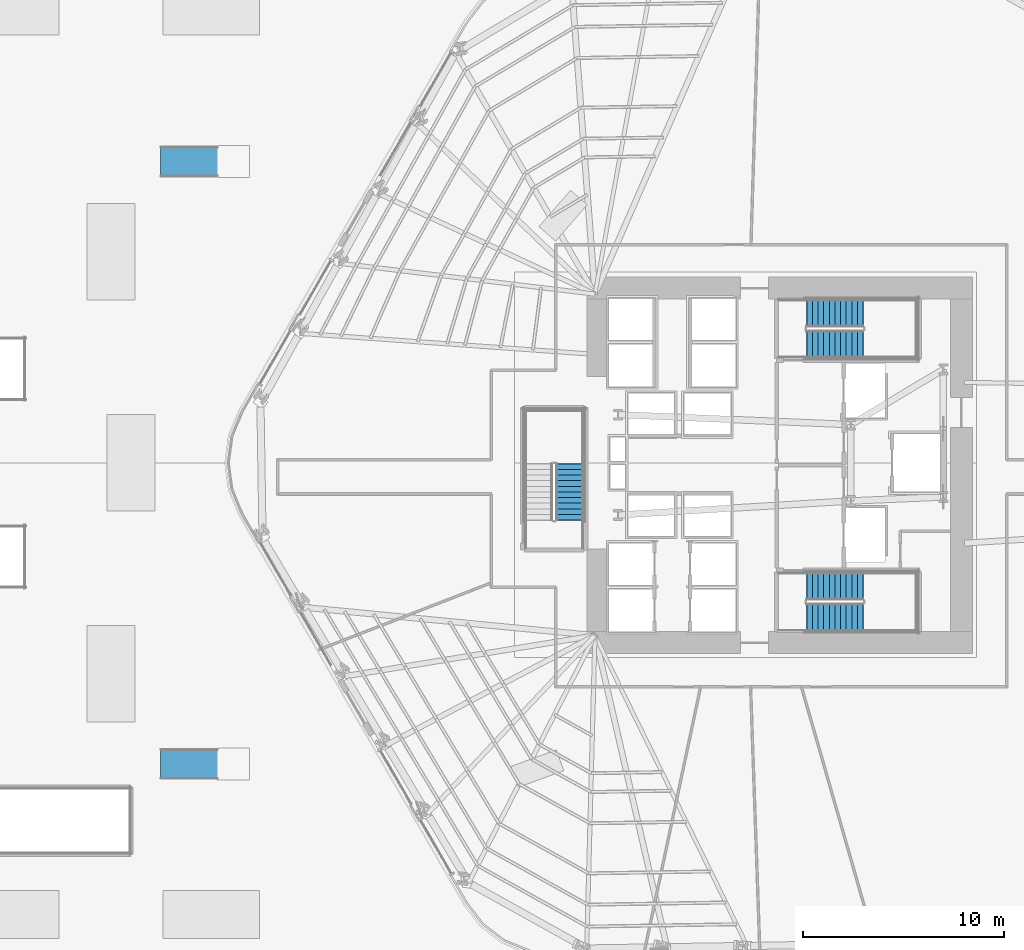
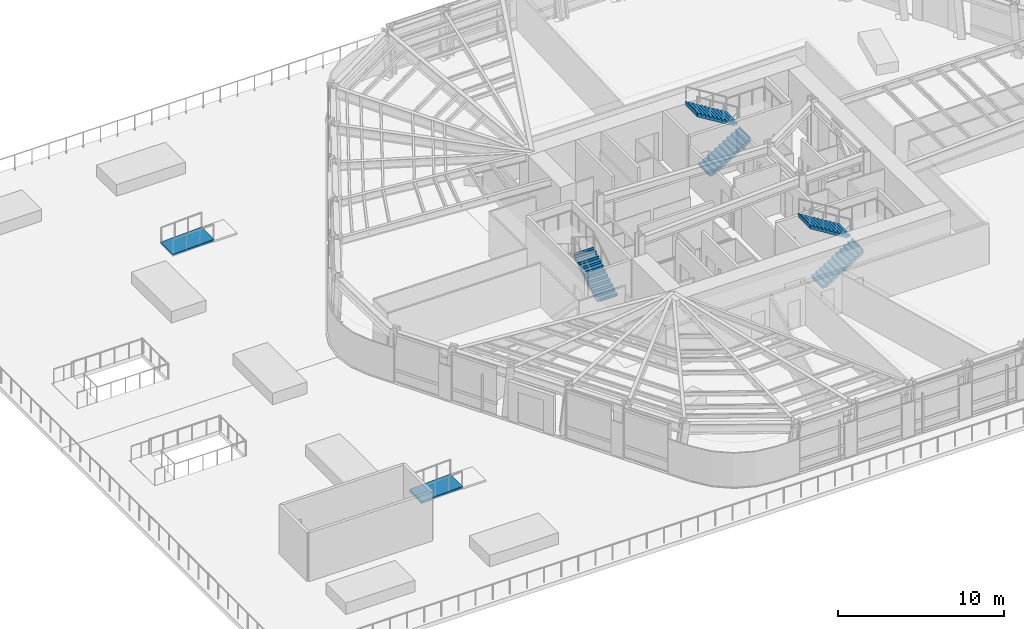
# One storey, part 10 of 18: 5 stair flights, 2 ramp flights, 5 elements without a shape of their own.
"""IFC4 building model written with IfcOpenShell, lengths in metres."""

import ifcopenshell
import ifcopenshell.guid

model = None  # the IFC model being written
_history = None  # IfcOwnerHistory: only IFC2X3 demands one
_inside = {}  # id of a spatial element -> (the spatial element, [elements in it])
_under = {}  # id of a project, library or spatial element -> (it, [spatial elements below it])
_declared = {}  # id of a project -> (the project, [libraries it declares])
_typed = {}  # id of a type object -> (the type object, [elements of that type])
_made_of = {}  # id of a material, layer set ... -> (it, [elements and type objects made of it])


def new_model(schema):
    """Start an empty IFC model of exactly this schema.

    Asked for "IFC4X3", IfcOpenShell would pick the latest addendum, in which some entities
    have other attributes; the version numbers below select the first issue.
    IFC2X3 requires an IfcOwnerHistory on every rooted entity: one is made here for all.
    """
    global model, _history
    if schema == "IFC4X3":
        model = ifcopenshell.file(schema_version=(4, 3, 0, 0))
    else:
        model = ifcopenshell.file(schema=schema)
    _inside.clear()
    _under.clear()
    _declared.clear()
    _typed.clear()
    _made_of.clear()
    _history = None
    if model.schema == "IFC2X3":
        org = make("IfcOrganization", Name="unknown")
        user = make(
            "IfcPersonAndOrganization",
            ThePerson=make("IfcPerson", FamilyName="unknown"),
            TheOrganization=org,
        )
        app = make(
            "IfcApplication",
            ApplicationDeveloper=org,
            Version="unknown",
            ApplicationFullName="unknown",
            ApplicationIdentifier="unknown",
        )
        _history = make(
            "IfcOwnerHistory",
            OwningUser=user,
            OwningApplication=app,
            ChangeAction="ADDED",
            CreationDate=0,
        )
    return model


def make(cls, **values):
    """One entity of the class cls with the attributes given. An attribute that is None is left unset."""
    return model.create_entity(
        cls, **{name: value for name, value in values.items() if value is not None}
    )


def rooted(cls, **values):
    """An entity with a GlobalId (a new one), such as an element, a storey or a relation."""
    return make(cls, GlobalId=ifcopenshell.guid.new(), OwnerHistory=_history, **values)


def si_unit(unit_type, name, prefix=None):
    """IfcSIUnit, for example si_unit("LENGTHUNIT", "METRE", prefix="MILLI")."""
    return make("IfcSIUnit", UnitType=unit_type, Prefix=prefix, Name=name)


def assignment(units):
    """IfcUnitAssignment: the units of a project."""
    return None if units is None else make("IfcUnitAssignment", Units=units)


def point(xyz):
    """IfcCartesianPoint."""
    return None if xyz is None else make("IfcCartesianPoint", Coordinates=xyz)


def direction(xyz):
    """IfcDirection."""
    return None if xyz is None else make("IfcDirection", DirectionRatios=xyz)


def frame(location, z_axis=None, x_axis=None):
    """IfcAxis2Placement3D, a coordinate frame: its origin and axes. An axis left out is left unset."""
    return make(
        "IfcAxis2Placement3D",
        Location=point(location),
        Axis=direction(z_axis),
        RefDirection=direction(x_axis),
    )


def origin():
    """The frame at (0, 0, 0) with its axes left unset."""
    return frame((0.0, 0.0, 0.0))


def place(relative_to, where):
    """IfcLocalPlacement: puts the frame where relative to a parent placement (None: the world)."""
    return make(
        "IfcLocalPlacement", PlacementRelTo=relative_to, RelativePlacement=where
    )


def context(
    kind, dimensions, precision=None, world=None, true_north=None, identifier=None
):
    """IfcGeometricRepresentationContext, for example the 3D "Model" context."""
    return make(
        "IfcGeometricRepresentationContext",
        ContextIdentifier=identifier,
        ContextType=kind,
        CoordinateSpaceDimension=dimensions,
        Precision=precision,
        WorldCoordinateSystem=world,
        TrueNorth=true_north,
    )


def subcontext(parent, identifier, kind, view, scale=None):
    """IfcGeometricRepresentationSubContext, for example "Body" below "Model"."""
    return make(
        "IfcGeometricRepresentationSubContext",
        ContextIdentifier=identifier,
        ContextType=kind,
        ParentContext=parent,
        TargetScale=scale,
        TargetView=view,
    )


def project(units=None, contexts=None):
    """IfcProject with its units and contexts."""
    return rooted(
        "IfcProject",
        Name="project",
        RepresentationContexts=contexts,
        UnitsInContext=assignment(units),
    )


def spatial(cls, under=None, at=None, **own):
    """A site, building, storey or space (cls), placed at a placement, below another one or the project."""
    s = rooted(cls, ObjectPlacement=at, **own)
    if under is not None:
        _under.setdefault(under.id(), (under, []))[1].append(s)
    return s


def polyline(points):
    """IfcPolyline through the points."""
    return make("IfcPolyline", Points=[point(p) for p in points])


def point_list(points):
    """IfcCartesianPointList2D or 3D."""
    cls = (
        "IfcCartesianPointList2D" if len(points[0]) == 2 else "IfcCartesianPointList3D"
    )
    return make(cls, CoordList=points)


def outline(outer, holes=None, kind="AREA"):
    """IfcArbitraryClosedProfileDef: a profile drawn as a closed curve; with holes, ...WithVoids."""
    if holes is None:
        return make("IfcArbitraryClosedProfileDef", ProfileType=kind, OuterCurve=outer)
    return make(
        "IfcArbitraryProfileDefWithVoids",
        ProfileType=kind,
        OuterCurve=outer,
        InnerCurves=holes,
    )


def extrude(swept, where, along, depth):
    """IfcExtrudedAreaSolid: the profile swept, set in the frame where, extruded along a direction by depth."""
    return make(
        "IfcExtrudedAreaSolid",
        SweptArea=swept,
        Position=where,
        ExtrudedDirection=direction(along),
        Depth=depth,
    )


def polygons(points, faces, closed=None, point_numbers=None):
    """IfcPolygonalFaceSet: a face is its outer loop, then its inner loops; points numbered from 1."""
    made = []
    for loops in faces:
        if len(loops) == 1:
            made.append(make("IfcIndexedPolygonalFace", CoordIndex=loops[0]))
        else:
            made.append(
                make(
                    "IfcIndexedPolygonalFaceWithVoids",
                    CoordIndex=loops[0],
                    InnerCoordIndices=loops[1:],
                )
            )
    return make(
        "IfcPolygonalFaceSet",
        Coordinates=point_list(points),
        Closed=closed,
        Faces=made,
        PnIndex=point_numbers,
    )


def shape(context_of_items, identifier, shape_type, items):
    """IfcShapeRepresentation: the items that make up one representation, for example the "Body"."""
    return make(
        "IfcShapeRepresentation",
        ContextOfItems=context_of_items,
        RepresentationIdentifier=identifier,
        RepresentationType=shape_type,
        Items=items,
    )


def material(Name=None, Category=None):
    """IfcMaterial."""
    return make("IfcMaterial", Name=Name, Category=Category)


def layer(
    of_material, thickness, ventilated=None, Name=None, Category=None, Priority=None
):
    """IfcMaterialLayer: one layer of a wall or slab, of a material (None: an air gap)."""
    return make(
        "IfcMaterialLayer",
        Material=of_material,
        LayerThickness=thickness,
        IsVentilated=ventilated,
        Name=Name,
        Category=Category,
        Priority=Priority,
    )


def layer_set(layers, Name=None):
    """IfcMaterialLayerSet."""
    return make("IfcMaterialLayerSet", MaterialLayers=layers, LayerSetName=Name)


def made_of(thing, what):
    """Note that an element or type object is made of a material, layer set ...; save() writes the relation."""
    if what is not None:
        _made_of.setdefault(what.id(), (what, []))[1].append(thing)
    return thing


def type_object(cls, material=None, **own):
    """A type object (cls), such as IfcWallType, which elements share."""
    return made_of(rooted(cls, **own), material)


def element(
    cls,
    number,
    at=None,
    inside=None,
    cuts=None,
    type_object=None,
    material=None,
    context=None,
    identifier="Body",
    shape_type=None,
    held_by="IfcProductDefinitionShape",
    body=None,
    shapes=None,
    **own,
):
    """One element of the class cls, such as IfcWall. Its Tag is "e" and its number.

    at: its placement. inside: the storey or other place that contains it. cuts: it is an
    opening in that element (IfcRelVoidsElement). A single representation is given by context,
    identifier, shape_type and body (its items); several are given by shapes. held_by: the class
    of the entity that holds the representations. save() writes the other relations.
    """
    e = rooted(cls, Tag="e%d" % number, ObjectPlacement=at, **own)
    if body is not None:
        shapes = [shape(context, identifier, shape_type, body)]
    if shapes is not None:
        e.Representation = make(held_by, Representations=shapes)
    if inside is not None:
        _inside.setdefault(inside.id(), (inside, []))[1].append(e)
    if cuts is not None:
        rooted(
            "IfcRelVoidsElement", RelatingBuildingElement=cuts, RelatedOpeningElement=e
        )
    if type_object is not None:
        _typed.setdefault(type_object.id(), (type_object, []))[1].append(e)
    return made_of(e, material)


def aggregate(whole, parts):
    """IfcRelAggregates: a whole, such as a stair, and the parts it consists of."""
    return rooted("IfcRelAggregates", RelatingObject=whole, RelatedObjects=parts)


def save(model, path):
    """Write the relations noted so far, then the file.

    IfcRelAggregates (storeys below a building ...), IfcRelContainedInSpatialStructure (elements
    in a storey), IfcRelDefinesByType, IfcRelAssociatesMaterial and IfcRelDeclares: one each for
    every whole, place, type object, material and project.
    """
    for whole, parts in _under.values():
        aggregate(whole, parts)
    for where, things in _inside.values():
        rooted(
            "IfcRelContainedInSpatialStructure",
            RelatedElements=things,
            RelatingStructure=where,
        )
    for kind, things in _typed.values():
        rooted("IfcRelDefinesByType", RelatedObjects=things, RelatingType=kind)
    for what, things in _made_of.values():
        rooted("IfcRelAssociatesMaterial", RelatedObjects=things, RelatingMaterial=what)
    for by, libraries in _declared.values():
        rooted("IfcRelDeclares", RelatingContext=by, RelatedDefinitions=libraries)
    model.write(path)


model = new_model("IFC4")

# Units and contexts
model_context = context("Model", 3, precision=1e-05, world=origin(), true_north=direction((0.0, 1.0)))
body_context = subcontext(model_context, "Body", "Model", "MODEL_VIEW")
ifc_project = project(units=[si_unit("LENGTHUNIT", "METRE"), si_unit("AREAUNIT", "SQUARE_METRE"), si_unit("VOLUMEUNIT", "CUBIC_METRE"), si_unit("PLANEANGLEUNIT", "RADIAN"), si_unit("MASSUNIT", "GRAM", prefix="KILO")], contexts=[model_context])

# Site, building, storey
site_placement = place(None, origin())
site = spatial("IfcSite", under=ifc_project, at=site_placement, CompositionType="ELEMENT")
building_placement = place(site_placement, origin())
building = spatial("IfcBuilding", under=site, at=building_placement, Name="Valkerne Bourse Tower", CompositionType="ELEMENT")
storey_placement = place(building_placement, frame((0.0, 0.0, 24.0)))
storey = spatial("IfcBuildingStorey", under=building, at=storey_placement, Name="L05", CompositionType="ELEMENT", Elevation=24.0)

# Stair, stair flights
ifc_material = material(Name="Concrete C40/50", Category="concrete")
stair_type = type_object("IfcStairType", Name="ST-CORE-1400", PredefinedType="HALF_TURN_STAIR", material=ifc_material)
stair_1_placement = place(storey_placement, origin())
stair_1 = element("IfcStair", 1, at=stair_1_placement, inside=storey, type_object=stair_type, Name="L05 ST-1", PredefinedType="HALF_TURN_STAIR")
stair_flight_type = type_object("IfcStairFlightType", Name="STF-CORE-1400", PredefinedType="STRAIGHT", material=ifc_material)
stair_flight_1_placement = place(storey_placement, frame((48.14990234375, 19.300048828125, 0.0), z_axis=(0.0, 0.0, 1.0), x_axis=(1.0, 0.0, 0.0)))
stair_flight_1 = element("IfcStairFlight", 2, at=stair_flight_1_placement, type_object=stair_flight_type, Name="ST-1 flight 1", NumberOfRisers=11, NumberOfTreads=10, PredefinedType="STRAIGHT", RiserHeight=0.172727273, TreadLength=0.28, context=body_context, shape_type="SweptSolid", body=[
    extrude(outline(polyline([(-0.02001953125, 0.0), (-0.02001953125, 0.044921875), (0.0, 0.044921875), (0.0, 0.172607421875), (0.280029296875, 0.172607421875), (0.280029296875, 0.345458984375), (0.56005859375, 0.345458984375), (0.56005859375, 0.51806640625), (0.840087890625, 0.51806640625), (0.840087890625, 0.69091796875), (1.1201171875, 0.69091796875), (1.1201171875, 0.863525390625), (1.39990234375, 0.863525390625), (1.39990234375, 1.036376953125), (1.679931640625, 1.036376953125), (1.679931640625, 1.208984375), (1.9599609375, 1.208984375), (1.9599609375, 1.3818359375), (2.239990234375, 1.3818359375), (2.239990234375, 1.554443359375), (2.52001953125, 1.554443359375), (2.52001953125, 1.727294921875), (2.800048828125, 1.727294921875), (2.800048828125, 1.89990234375), (2.820068359375, 1.89990234375), (2.820068359375, 1.780029296875), (2.800048828125, 1.551025390625), (0.285400390625, 0.0), (-0.02001953125, 0.0)])), frame((0.0, 0.699951171875, 0.0), z_axis=(0.0, -1.0, 0.0), x_axis=(1.0, 0.0, 0.0)), (0.0, 0.0, 1.0), 1.39990234375),
])
stair_flight_2_placement = place(storey_placement, frame((50.949951171875, 20.85009765625, 1.89990234375), z_axis=(0.0, 0.0, 1.0), x_axis=(-1.0, 0.0, 0.0)))
stair_flight_2 = element("IfcStairFlight", 3, at=stair_flight_2_placement, type_object=stair_flight_type, Name="ST-1 flight 2", NumberOfRisers=11, NumberOfTreads=10, PredefinedType="STRAIGHT", RiserHeight=0.172727273, TreadLength=0.28, context=body_context, shape_type="SweptSolid", body=[
    extrude(outline(polyline([(-0.02001953125, 0.0), (-0.02001953125, 0.044921875), (0.0, 0.044921875), (0.0, 0.172607421875), (0.280029296875, 0.172607421875), (0.280029296875, 0.345458984375), (0.56005859375, 0.345458984375), (0.56005859375, 0.51806640625), (0.840087890625, 0.51806640625), (0.840087890625, 0.69091796875), (1.1201171875, 0.69091796875), (1.1201171875, 0.863525390625), (1.39990234375, 0.863525390625), (1.39990234375, 1.036376953125), (1.679931640625, 1.036376953125), (1.679931640625, 1.208984375), (1.9599609375, 1.208984375), (1.9599609375, 1.3818359375), (2.239990234375, 1.3818359375), (2.239990234375, 1.554443359375), (2.52001953125, 1.554443359375), (2.52001953125, 1.727294921875), (2.800048828125, 1.727294921875), (2.800048828125, 1.89990234375), (2.820068359375, 1.89990234375), (2.820068359375, 1.780029296875), (2.800048828125, 1.551025390625), (0.285400390625, 0.0), (-0.02001953125, 0.0)])), frame((0.0, 0.699951171875, 0.0), z_axis=(0.0, -1.0, 0.0), x_axis=(1.0, 0.0, 0.0)), (0.0, 0.0, 1.0), 1.39990234375),
])
aggregate(stair_1, [stair_flight_1, stair_flight_2])

stair_2_placement = place(storey_placement, origin())
stair_2 = element("IfcStair", 4, at=stair_2_placement, inside=storey, type_object=stair_type, Name="L05 ST-2", PredefinedType="HALF_TURN_STAIR")
stair_flight_3_placement = place(storey_placement, frame((48.14990234375, 32.89990234375, 0.0), z_axis=(0.0, 0.0, 1.0), x_axis=(1.0, 0.0, 0.0)))
stair_flight_3 = element("IfcStairFlight", 5, at=stair_flight_3_placement, type_object=stair_flight_type, Name="ST-2 flight 1", NumberOfRisers=11, NumberOfTreads=10, PredefinedType="STRAIGHT", RiserHeight=0.172727273, TreadLength=0.28, context=body_context, shape_type="SweptSolid", body=[
    extrude(outline(polyline([(-0.02001953125, 0.0), (-0.02001953125, 0.044921875), (0.0, 0.044921875), (0.0, 0.172607421875), (0.280029296875, 0.172607421875), (0.280029296875, 0.345458984375), (0.56005859375, 0.345458984375), (0.56005859375, 0.51806640625), (0.840087890625, 0.51806640625), (0.840087890625, 0.69091796875), (1.1201171875, 0.69091796875), (1.1201171875, 0.863525390625), (1.39990234375, 0.863525390625), (1.39990234375, 1.036376953125), (1.679931640625, 1.036376953125), (1.679931640625, 1.208984375), (1.9599609375, 1.208984375), (1.9599609375, 1.3818359375), (2.239990234375, 1.3818359375), (2.239990234375, 1.554443359375), (2.52001953125, 1.554443359375), (2.52001953125, 1.727294921875), (2.800048828125, 1.727294921875), (2.800048828125, 1.89990234375), (2.820068359375, 1.89990234375), (2.820068359375, 1.780029296875), (2.800048828125, 1.551025390625), (0.285400390625, 0.0), (-0.02001953125, 0.0)])), frame((0.0, 0.699951171875, 0.0), z_axis=(0.0, -1.0, 0.0), x_axis=(1.0, 0.0, 0.0)), (0.0, 0.0, 1.0), 1.39990234375),
])
stair_flight_4_placement = place(storey_placement, frame((50.949951171875, 34.449951171875, 1.89990234375), z_axis=(0.0, 0.0, 1.0), x_axis=(-1.0, 0.0, 0.0)))
stair_flight_4 = element("IfcStairFlight", 6, at=stair_flight_4_placement, type_object=stair_flight_type, Name="ST-2 flight 2", NumberOfRisers=11, NumberOfTreads=10, PredefinedType="STRAIGHT", RiserHeight=0.172727273, TreadLength=0.28, context=body_context, shape_type="SweptSolid", body=[
    extrude(outline(polyline([(-0.02001953125, 0.0), (-0.02001953125, 0.044921875), (0.0, 0.044921875), (0.0, 0.172607421875), (0.280029296875, 0.172607421875), (0.280029296875, 0.345458984375), (0.56005859375, 0.345458984375), (0.56005859375, 0.51806640625), (0.840087890625, 0.51806640625), (0.840087890625, 0.69091796875), (1.1201171875, 0.69091796875), (1.1201171875, 0.863525390625), (1.39990234375, 0.863525390625), (1.39990234375, 1.036376953125), (1.679931640625, 1.036376953125), (1.679931640625, 1.208984375), (1.9599609375, 1.208984375), (1.9599609375, 1.3818359375), (2.239990234375, 1.3818359375), (2.239990234375, 1.554443359375), (2.52001953125, 1.554443359375), (2.52001953125, 1.727294921875), (2.800048828125, 1.727294921875), (2.800048828125, 1.89990234375), (2.820068359375, 1.89990234375), (2.820068359375, 1.780029296875), (2.800048828125, 1.551025390625), (0.285400390625, 0.0), (-0.02001953125, 0.0)])), frame((0.0, 0.699951171875, 0.0), z_axis=(0.0, -1.0, 0.0), x_axis=(1.0, 0.0, 0.0)), (0.0, 0.0, 1.0), 1.39990234375),
])
aggregate(stair_2, [stair_flight_3, stair_flight_4])

# Stair, stair flight
stair_3_placement = place(storey_placement, origin())
stair_3 = element("IfcStair", 7, at=stair_3_placement, inside=storey, type_object=stair_type, Name="L05 ST-3", PredefinedType="HALF_TURN_STAIR")
stair_flight_5_placement = place(storey_placement, frame((36.35009765625, 24.14990234375, 0.0), z_axis=(0.0, 0.0, 1.0), x_axis=(0.0, 1.0, 0.0)))
stair_flight_5 = element("IfcStairFlight", 8, at=stair_flight_5_placement, type_object=stair_flight_type, Name="ST-3 flight 1", NumberOfRisers=11, NumberOfTreads=10, PredefinedType="STRAIGHT", RiserHeight=0.172727273, TreadLength=0.28, context=body_context, shape_type="SweptSolid", body=[
    extrude(outline(polyline([(-0.02001953125, 0.0), (-0.02001953125, 0.044921875), (0.0, 0.044921875), (0.0, 0.172607421875), (0.280029296875, 0.172607421875), (0.280029296875, 0.345458984375), (0.56005859375, 0.345458984375), (0.56005859375, 0.51806640625), (0.840087890625, 0.51806640625), (0.840087890625, 0.69091796875), (1.1201171875, 0.69091796875), (1.1201171875, 0.863525390625), (1.39990234375, 0.863525390625), (1.39990234375, 1.036376953125), (1.679931640625, 1.036376953125), (1.679931640625, 1.208984375), (1.9599609375, 1.208984375), (1.9599609375, 1.3818359375), (2.239990234375, 1.3818359375), (2.239990234375, 1.554443359375), (2.52001953125, 1.554443359375), (2.52001953125, 1.727294921875), (2.800048828125, 1.727294921875), (2.800048828125, 1.89990234375), (2.820068359375, 1.89990234375), (2.820068359375, 1.780029296875), (2.800048828125, 1.551025390625), (0.285400390625, 0.0), (-0.02001953125, 0.0)])), frame((0.0, 0.699951171875, 0.0), z_axis=(0.0, -1.0, 0.0), x_axis=(1.0, 0.0, 0.0)), (0.0, 0.0, 1.0), 1.39990234375),
])
aggregate(stair_3, [stair_flight_5])

# Ramp, ramp flight
ramp_type = type_object("IfcRampType", Name="RMP-PED-TYPE", PredefinedType="STRAIGHT_RUN_RAMP", material=ifc_material)
ramp_1_placement = place(storey_placement, origin())
ramp_1 = element("IfcRamp", 9, at=ramp_1_placement, inside=storey, type_object=ramp_type, Name="South Garden Deck Accessible Ramp 3", PredefinedType="STRAIGHT_RUN_RAMP")
ifc_layer = layer(ifc_material, 0.199951171875)
ifc_layer_set = layer_set([ifc_layer], Name="Concrete C40/50")
ramp_flight_type = type_object("IfcRampFlightType", Name="RMP-PED-FLIGHT", PredefinedType="STRAIGHT", material=ifc_layer_set)
ramp_flight_1_placement = place(storey_placement, origin())
ramp_flight_1 = element("IfcRampFlight", 10, at=ramp_flight_1_placement, type_object=ramp_flight_type, Name="South Garden Deck Accessible Ramp 3 Flight 1", PredefinedType="STRAIGHT", context=body_context, shape_type="Tessellation", body=[
    polygons([(15.969970703125, 11.25, 0.038818359375), (15.969970703125, 11.25, -0.121337890625), (18.830078125, 11.25, 0.161376953125), (18.830078125, 11.25, 0.001220703125), (18.830078125, 12.75, 0.161376953125), (18.830078125, 12.75, 0.001220703125), (15.969970703125, 12.75, 0.038818359375), (15.969970703125, 12.75, -0.121337890625)], [[[1, 5, 7]], [[2, 8, 6]], [[5, 1, 3]], [[6, 4, 2]], [[1, 2, 4, 3]], [[3, 4, 6, 5]], [[5, 6, 8, 7]], [[7, 8, 2, 1]]], closed=True),
])
aggregate(ramp_1, [ramp_flight_1])

ramp_2_placement = place(storey_placement, origin())
ramp_2 = element("IfcRamp", 11, at=ramp_2_placement, inside=storey, type_object=ramp_type, Name="North Garden Deck Accessible Ramp 4", PredefinedType="STRAIGHT_RUN_RAMP")
ramp_flight_2_placement = place(storey_placement, origin())
ramp_flight_2 = element("IfcRampFlight", 12, at=ramp_flight_2_placement, type_object=ramp_flight_type, Name="North Garden Deck Accessible Ramp 4 Flight 1", PredefinedType="STRAIGHT", context=body_context, shape_type="Tessellation", body=[
    polygons([(15.969970703125, 41.25, 0.038818359375), (15.969970703125, 41.25, -0.121337890625), (18.830078125, 41.25, 0.161376953125), (18.830078125, 41.25, 0.001220703125), (18.830078125, 42.75, 0.161376953125), (18.830078125, 42.75, 0.001220703125), (15.969970703125, 42.75, 0.038818359375), (15.969970703125, 42.75, -0.121337890625)], [[[1, 5, 7]], [[2, 8, 6]], [[5, 1, 3]], [[6, 4, 2]], [[1, 2, 4, 3]], [[3, 4, 6, 5]], [[5, 6, 8, 7]], [[7, 8, 2, 1]]], closed=True),
])
aggregate(ramp_2, [ramp_flight_2])

save(model, "model.ifc")
